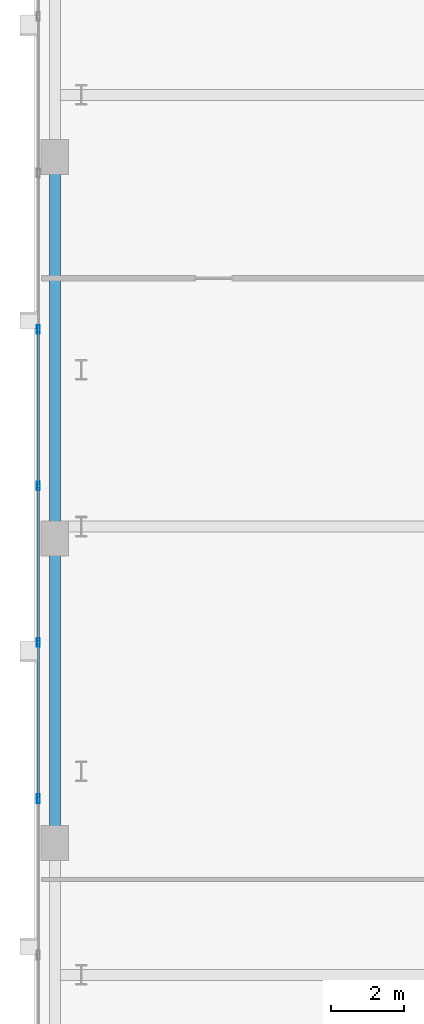
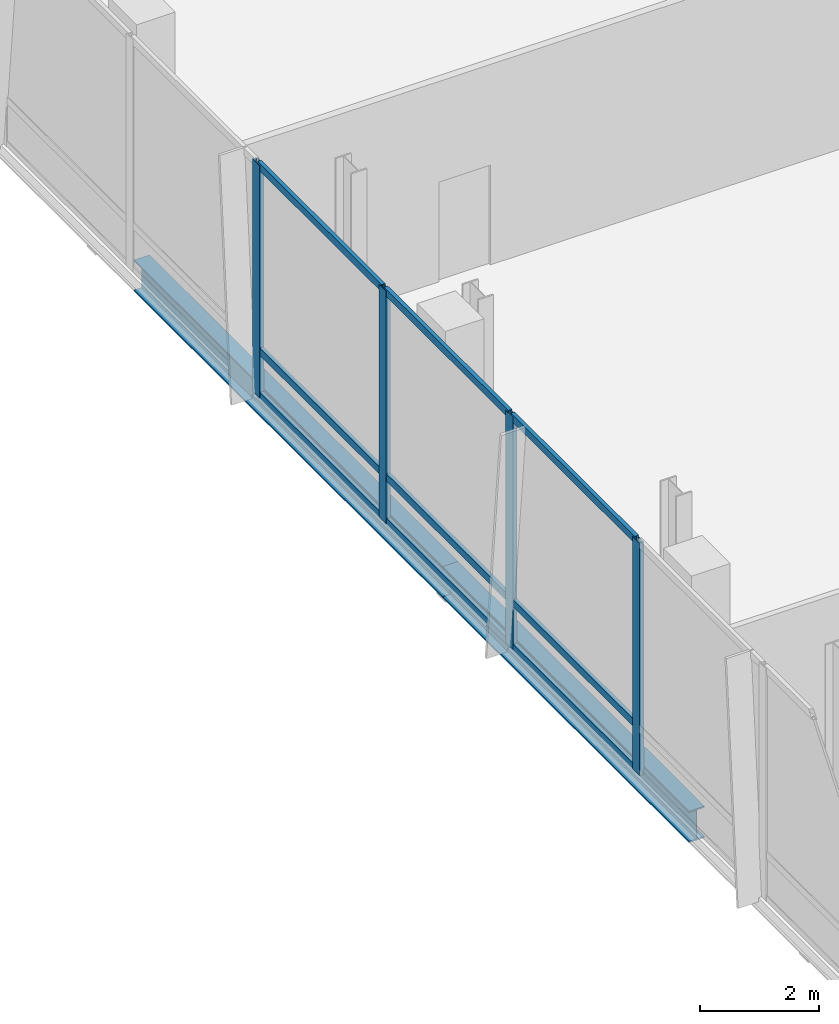
# One storey, part 8 of 25: 13 members, 2 beams, 1 element without a shape of its own.
"""IFC4 building model written with IfcOpenShell, lengths in metres."""

from ifc_helpers import new_model, si_unit, direction, frame, origin, origin_2d, place, context, subcontext, project, spatial, hollow_rectangle, i_section, extrude, material, material_profile, profile_set, type_object, element, aggregate, save


model = new_model("IFC4")

# Units and contexts
model_context = context("Model", 3, precision=1e-05, world=origin(), true_north=direction((0.0, 1.0)))
body_context = subcontext(model_context, "Body", "Model", "MODEL_VIEW")
ifc_project = project(units=[si_unit("LENGTHUNIT", "METRE"), si_unit("AREAUNIT", "SQUARE_METRE"), si_unit("VOLUMEUNIT", "CUBIC_METRE"), si_unit("PLANEANGLEUNIT", "RADIAN"), si_unit("MASSUNIT", "GRAM", prefix="KILO")], contexts=[model_context])

# Site, building, storey
site_placement = place(None, origin())
site = spatial("IfcSite", under=ifc_project, at=site_placement, CompositionType="ELEMENT")
building_placement = place(site_placement, origin())
building = spatial("IfcBuilding", under=site, at=building_placement, Name="Khoronbel Lancet Exchange", CompositionType="ELEMENT")
storey_placement = place(building_placement, frame((0.0, 0.0, 15.39990234375)))
storey = spatial("IfcBuildingStorey", under=building, at=storey_placement, Name="L03", CompositionType="ELEMENT", Elevation=15.39990234375)

# Beams
ifc_material_1 = material(Name="Steel S355", Category="steel")
ifc_material_profile_1 = material_profile(ifc_material_1, i_section(OverallWidth=0.300048828125, OverallDepth=0.64990234375, WebThickness=0.01611328125, FlangeThickness=0.031005859375, at=origin_2d()), Name="HEB 650")
ifc_profile_set_1 = profile_set([ifc_material_profile_1], Name="Steel S355")
beam_type = type_object("IfcBeamType", Name="BM-BSP1", PredefinedType="SPANDREL", material=ifc_profile_set_1)
beam_1_placement = place(storey_placement, frame((0.550048828125, 41.5, -0.52490234375), z_axis=(0.0, -1.0, 0.0), x_axis=(1.0, 0.0, 0.0)))
element("IfcBeam", 1, at=beam_1_placement, inside=storey, type_object=beam_type, Name="Level L03 perimeter spandrel beam SP16", PredefinedType="SPANDREL", context=body_context, shape_type="SweptSolid", body=[
    extrude(i_section(OverallWidth=0.300048828125, OverallDepth=0.64990234375, WebThickness=0.01611328125, FlangeThickness=0.031005859375, at=origin_2d()), origin(), (0.0, 0.0, 1.0), 10.39990234375),
])
beam_2_placement = place(storey_placement, frame((0.550048828125, 31.10009765625, -0.52490234375), z_axis=(0.0, -1.0, 0.0), x_axis=(1.0, 0.0, 0.0)))
element("IfcBeam", 2, at=beam_2_placement, inside=storey, type_object=beam_type, Name="Level L03 perimeter spandrel beam SP17", PredefinedType="SPANDREL", context=body_context, shape_type="SweptSolid", body=[
    extrude(i_section(OverallWidth=0.300048828125, OverallDepth=0.64990234375, WebThickness=0.01611328125, FlangeThickness=0.031005859375, at=origin_2d()), origin(), (0.0, 0.0, 1.0), 8.300048828125),
])

# Curtain wall, members
ifc_material_2 = material(Name="Low-E Solar Control Insulating Glass", Category="glass")
curtain_wall_type = type_object("IfcCurtainWallType", Name="CW-5", PredefinedType="NOTDEFINED", material=ifc_material_2)
curtain_wall_placement = place(storey_placement, origin())
curtain_wall = element("IfcCurtainWall", 3, at=curtain_wall_placement, inside=storey, type_object=curtain_wall_type, Name="Unitised curtain wall CW-L03-WEST", PredefinedType="NOTDEFINED")
ifc_material_3 = material(Name="Bronze-Anodised Aluminium 6063-T6", Category="aluminium")
ifc_material_profile_2 = material_profile(ifc_material_3, hollow_rectangle(XDim=0.0849609375, YDim=0.239990234375, WallThickness=0.006103515625, at=origin_2d()), Name="ALU MULLION 85x240")
ifc_profile_set_2 = profile_set([ifc_material_profile_2], Name="Bronze-Anodised Aluminium 6063-T6")
member_type_1 = type_object("IfcMemberType", Name="MEM-CWM1", PredefinedType="MULLION", material=ifc_profile_set_2)
member_1_placement = place(storey_placement, frame((0.10009765625, 36.800048828125, 0.0), z_axis=(0.0, 0.0, 1.0), x_axis=(1.0, 0.0, 0.0)))
member_1 = element("IfcMember", 4, at=member_1_placement, type_object=member_type_1, Name="CW5 mullion 4", PredefinedType="MULLION", context=body_context, shape_type="SweptSolid", body=[
    extrude(hollow_rectangle(XDim=0.0849609375, YDim=0.239990234375, WallThickness=0.006103515625, at=origin_2d()), origin(), (0.0, 0.0, 1.0), 4.780029296875),
])
member_2_placement = place(storey_placement, frame((0.10009765625, 32.533447265625, 0.0), z_axis=(0.0, 0.0, 1.0), x_axis=(1.0, 0.0, 0.0)))
member_2 = element("IfcMember", 5, at=member_2_placement, type_object=member_type_1, Name="CW5 mullion 5", PredefinedType="MULLION", context=body_context, shape_type="SweptSolid", body=[
    extrude(hollow_rectangle(XDim=0.0849609375, YDim=0.239990234375, WallThickness=0.006103515625, at=origin_2d()), origin(), (0.0, 0.0, 1.0), 4.780029296875),
])
member_3_placement = place(storey_placement, frame((0.10009765625, 28.2666015625, 0.0), z_axis=(0.0, 0.0, 1.0), x_axis=(1.0, 0.0, 0.0)))
member_3 = element("IfcMember", 6, at=member_3_placement, type_object=member_type_1, Name="CW5 mullion 6", PredefinedType="MULLION", context=body_context, shape_type="SweptSolid", body=[
    extrude(hollow_rectangle(XDim=0.0849609375, YDim=0.239990234375, WallThickness=0.006103515625, at=origin_2d()), origin(), (0.0, 0.0, 1.0), 4.780029296875),
])
member_4_placement = place(storey_placement, frame((0.10009765625, 24.0, 0.0), z_axis=(0.0, 0.0, 1.0), x_axis=(1.0, 0.0, 0.0)))
member_4 = element("IfcMember", 7, at=member_4_placement, type_object=member_type_1, Name="CW5 mullion 7", PredefinedType="MULLION", context=body_context, shape_type="SweptSolid", body=[
    extrude(hollow_rectangle(XDim=0.0849609375, YDim=0.239990234375, WallThickness=0.006103515625, at=origin_2d()), origin(), (0.0, 0.0, 1.0), 4.780029296875),
])
ifc_material_profile_3 = material_profile(ifc_material_3, hollow_rectangle(XDim=0.074951171875, YDim=0.14990234375, WallThickness=0.00439453125, at=origin_2d()), Name="ALU TRANSOM 75x150")
ifc_profile_set_3 = profile_set([ifc_material_profile_3], Name="Bronze-Anodised Aluminium 6063-T6")
member_type_2 = type_object("IfcMemberType", Name="MEM-CWT2", PredefinedType="USERDEFINED", material=ifc_profile_set_3)
member_5_placement = place(storey_placement, frame((0.10009765625, 36.757568359375, 0.03759765625), z_axis=(0.0, -1.0, 0.0), x_axis=(1.0, 0.0, 0.0)))
member_5 = element("IfcMember", 8, at=member_5_placement, type_object=member_type_2, Name="CW5 transom 4.1", ObjectType="TRANSOM", PredefinedType="USERDEFINED", context=body_context, shape_type="SweptSolid", body=[
    extrude(hollow_rectangle(XDim=0.074951171875, YDim=0.14990234375, WallThickness=0.00439453125, at=origin_2d()), origin(), (0.0, 0.0, 1.0), 4.181640625),
])
member_6_placement = place(storey_placement, frame((0.10009765625, 36.757568359375, 0.9501953125), z_axis=(0.0, -1.0, 0.0), x_axis=(1.0, 0.0, 0.0)))
member_6 = element("IfcMember", 9, at=member_6_placement, type_object=member_type_2, Name="CW5 transom 4.2", ObjectType="TRANSOM", PredefinedType="USERDEFINED", context=body_context, shape_type="SweptSolid", body=[
    extrude(hollow_rectangle(XDim=0.074951171875, YDim=0.14990234375, WallThickness=0.00439453125, at=origin_2d()), origin(), (0.0, 0.0, 1.0), 4.181640625),
])
member_7_placement = place(storey_placement, frame((0.10009765625, 36.757568359375, 4.74267578125), z_axis=(0.0, -1.0, 0.0), x_axis=(1.0, 0.0, 0.0)))
member_7 = element("IfcMember", 10, at=member_7_placement, type_object=member_type_2, Name="CW5 transom 4.3", ObjectType="TRANSOM", PredefinedType="USERDEFINED", context=body_context, shape_type="SweptSolid", body=[
    extrude(hollow_rectangle(XDim=0.074951171875, YDim=0.14990234375, WallThickness=0.00439453125, at=origin_2d()), origin(), (0.0, 0.0, 1.0), 4.181640625),
])
member_8_placement = place(storey_placement, frame((0.10009765625, 32.49072265625, 0.03759765625), z_axis=(0.0, -1.0, 0.0), x_axis=(1.0, 0.0, 0.0)))
member_8 = element("IfcMember", 11, at=member_8_placement, type_object=member_type_2, Name="CW5 transom 5.1", ObjectType="TRANSOM", PredefinedType="USERDEFINED", context=body_context, shape_type="SweptSolid", body=[
    extrude(hollow_rectangle(XDim=0.074951171875, YDim=0.14990234375, WallThickness=0.00439453125, at=origin_2d()), origin(), (0.0, 0.0, 1.0), 4.181640625),
])
member_9_placement = place(storey_placement, frame((0.10009765625, 32.49072265625, 0.9501953125), z_axis=(0.0, -1.0, 0.0), x_axis=(1.0, 0.0, 0.0)))
member_9 = element("IfcMember", 12, at=member_9_placement, type_object=member_type_2, Name="CW5 transom 5.2", ObjectType="TRANSOM", PredefinedType="USERDEFINED", context=body_context, shape_type="SweptSolid", body=[
    extrude(hollow_rectangle(XDim=0.074951171875, YDim=0.14990234375, WallThickness=0.00439453125, at=origin_2d()), origin(), (0.0, 0.0, 1.0), 4.181640625),
])
member_10_placement = place(storey_placement, frame((0.10009765625, 32.49072265625, 4.74267578125), z_axis=(0.0, -1.0, 0.0), x_axis=(1.0, 0.0, 0.0)))
member_10 = element("IfcMember", 13, at=member_10_placement, type_object=member_type_2, Name="CW5 transom 5.3", ObjectType="TRANSOM", PredefinedType="USERDEFINED", context=body_context, shape_type="SweptSolid", body=[
    extrude(hollow_rectangle(XDim=0.074951171875, YDim=0.14990234375, WallThickness=0.00439453125, at=origin_2d()), origin(), (0.0, 0.0, 1.0), 4.181640625),
])
member_11_placement = place(storey_placement, frame((0.10009765625, 28.22412109375, 0.03759765625), z_axis=(0.0, -1.0, 0.0), x_axis=(1.0, 0.0, 0.0)))
member_11 = element("IfcMember", 14, at=member_11_placement, type_object=member_type_2, Name="CW5 transom 6.1", ObjectType="TRANSOM", PredefinedType="USERDEFINED", context=body_context, shape_type="SweptSolid", body=[
    extrude(hollow_rectangle(XDim=0.074951171875, YDim=0.14990234375, WallThickness=0.00439453125, at=origin_2d()), origin(), (0.0, 0.0, 1.0), 4.181640625),
])
member_12_placement = place(storey_placement, frame((0.10009765625, 28.22412109375, 0.9501953125), z_axis=(0.0, -1.0, 0.0), x_axis=(1.0, 0.0, 0.0)))
member_12 = element("IfcMember", 15, at=member_12_placement, type_object=member_type_2, Name="CW5 transom 6.2", ObjectType="TRANSOM", PredefinedType="USERDEFINED", context=body_context, shape_type="SweptSolid", body=[
    extrude(hollow_rectangle(XDim=0.074951171875, YDim=0.14990234375, WallThickness=0.00439453125, at=origin_2d()), origin(), (0.0, 0.0, 1.0), 4.181640625),
])
member_13_placement = place(storey_placement, frame((0.10009765625, 28.22412109375, 4.74267578125), z_axis=(0.0, -1.0, 0.0), x_axis=(1.0, 0.0, 0.0)))
member_13 = element("IfcMember", 16, at=member_13_placement, type_object=member_type_2, Name="CW5 transom 6.3", ObjectType="TRANSOM", PredefinedType="USERDEFINED", context=body_context, shape_type="SweptSolid", body=[
    extrude(hollow_rectangle(XDim=0.074951171875, YDim=0.14990234375, WallThickness=0.00439453125, at=origin_2d()), origin(), (0.0, 0.0, 1.0), 4.181640625),
])
aggregate(curtain_wall, [member_1, member_2, member_3, member_4, member_5, member_6, member_7, member_8, member_9, member_10, member_11, member_12, member_13])

save(model, "model.ifc")
